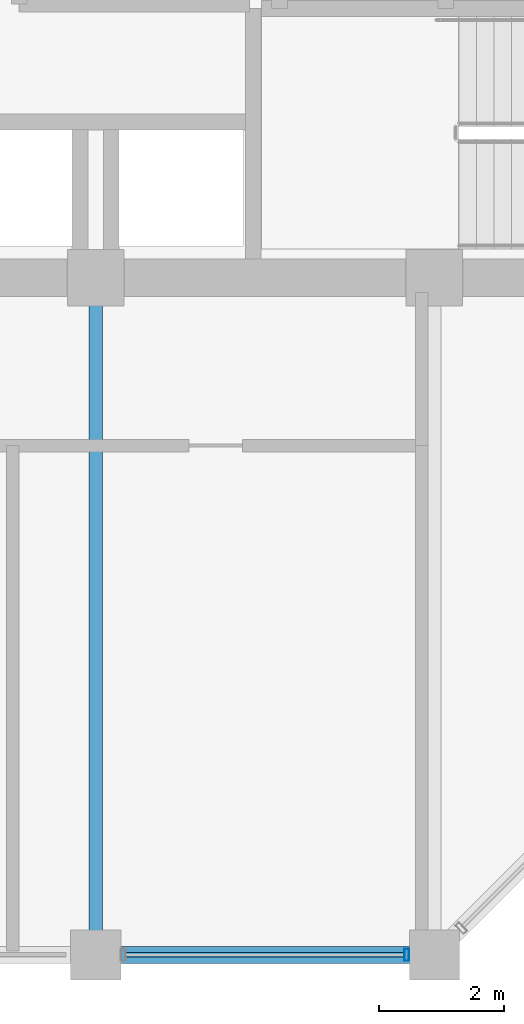
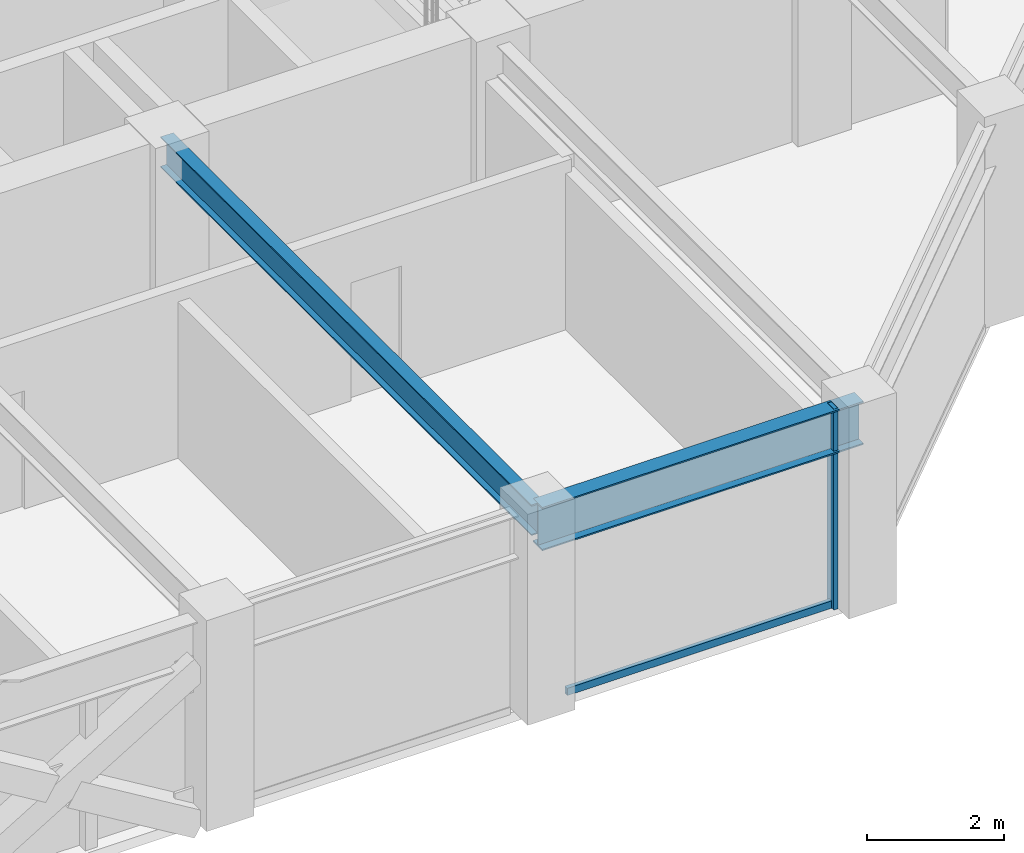
# One storey, part 7 of 32: 2 beams, 2 members, 1 element without a shape of its own.
"""IFC4 building model written with IfcOpenShell, lengths in metres."""

from ifc_helpers import new_model, si_unit, direction, frame, origin, origin_2d, place, context, subcontext, project, spatial, hollow_rectangle, i_section, extrude, material, layer, layer_set, material_profile, profile_set, type_object, element, aggregate, save


model = new_model("IFC4")

# Units and contexts
model_context = context("Model", 3, precision=1e-05, world=origin(), true_north=direction((0.0, 1.0)))
body_context = subcontext(model_context, "Body", "Model", "MODEL_VIEW")
ifc_project = project(units=[si_unit("LENGTHUNIT", "METRE"), si_unit("AREAUNIT", "SQUARE_METRE"), si_unit("VOLUMEUNIT", "CUBIC_METRE"), si_unit("PLANEANGLEUNIT", "RADIAN"), si_unit("MASSUNIT", "GRAM", prefix="KILO")], contexts=[model_context])

# Site, building, storey
site_placement = place(None, origin())
site = spatial("IfcSite", under=ifc_project, at=site_placement, CompositionType="ELEMENT")
building_placement = place(site_placement, origin())
building = spatial("IfcBuilding", under=site, at=building_placement, Name="Surkhivell Harbour Commons", CompositionType="ELEMENT")
storey_placement = place(building_placement, frame((0.0, 0.0, 219.75)))
storey = spatial("IfcBuildingStorey", under=building, at=storey_placement, Name="L57", CompositionType="ELEMENT", Elevation=219.75)

# Beams
ifc_material_1 = material(Name="Steel S355", Category="steel")
ifc_material_profile_1 = material_profile(ifc_material_1, i_section(OverallWidth=0.2119140625, OverallDepth=0.5439453125, WebThickness=0.0126953125, FlangeThickness=0.021240234375, at=origin_2d()), Name="UB533x210x122")
ifc_profile_set_1 = profile_set([ifc_material_profile_1], Name="Steel S355")
beam_type_1 = type_object("IfcBeamType", Name="BM-GRD-533A", PredefinedType="BEAM", material=ifc_profile_set_1)
beam_1_placement = place(storey_placement, frame((0.0, -21.60009765625, 3.298095703125), z_axis=(0.0, 1.0, 0.0), x_axis=(-1.0, 0.0, 0.0)))
element("IfcBeam", 1, at=beam_1_placement, inside=storey, type_object=beam_type_1, Name="L57 Floor Girder (0.0,-21.6)", PredefinedType="BEAM", context=body_context, shape_type="SweptSolid", body=[
    extrude(i_section(OverallWidth=0.2119140625, OverallDepth=0.5439453125, WebThickness=0.0126953125, FlangeThickness=0.021240234375, at=origin_2d()), origin(), (0.0, 0.0, 1.0), 10.800048828125),
])
ifc_material_profile_2 = material_profile(ifc_material_1, i_section(OverallWidth=0.26806640625, OverallDepth=0.77001953125, WebThickness=0.015625, FlangeThickness=0.025390625, at=origin_2d()), Name="UB762x267x197")
ifc_profile_set_2 = profile_set([ifc_material_profile_2], Name="Steel S355")
beam_type_2 = type_object("IfcBeamType", Name="BM-SPN-762", PredefinedType="SPANDREL", material=ifc_profile_set_2)
beam_2_placement = place(storey_placement, frame((0.0, -21.60009765625, 3.18505859375), z_axis=(1.0, 0.0, 0.0), x_axis=(0.0, 1.0, 0.0)))
element("IfcBeam", 2, at=beam_2_placement, inside=storey, type_object=beam_type_2, Name="L57 Tube Spandrel (-0.0,-21.6)", PredefinedType="SPANDREL", context=body_context, shape_type="SweptSolid", body=[
    extrude(i_section(OverallWidth=0.26806640625, OverallDepth=0.77001953125, WebThickness=0.015625, FlangeThickness=0.025390625, at=origin_2d()), origin(), (0.0, 0.0, 1.0), 5.39990234375),
])

# Curtain wall, members
ifc_material_2 = material(Name="Anodised pale-metal aluminium and insulated glazing", Category="aluminium")
ifc_layer = layer(ifc_material_2, 0.18994140625)
ifc_layer_set = layer_set([ifc_layer], Name="Anodised pale-metal aluminium and insulated glazing")
curtain_wall_type = type_object("IfcCurtainWallType", Name="CW-SYS-Z3", PredefinedType="NOTDEFINED", material=ifc_layer_set)
curtain_wall_placement = place(storey_placement, origin())
curtain_wall = element("IfcCurtainWall", 3, at=curtain_wall_placement, inside=storey, type_object=curtain_wall_type, Name="L57 Curtain Wall CW-L57-E00S2", PredefinedType="NOTDEFINED")
ifc_material_3 = material(Name="Anodised pale-metal aluminium alloy 6063-T6", Category="aluminium")
ifc_material_profile_3 = material_profile(ifc_material_3, hollow_rectangle(XDim=0.074951171875, YDim=0.18994140625, WallThickness=0.00390625, at=origin_2d()), Name="ALU-MULL-75x190")
ifc_profile_set_3 = profile_set([ifc_material_profile_3], Name="Anodised pale-metal aluminium alloy 6063-T6")
member_type_1 = type_object("IfcMemberType", Name="CWM-190", PredefinedType="MULLION", material=ifc_profile_set_3)
member_1_placement = place(storey_placement, frame((4.96044921875, -21.60009765625, 0.0), z_axis=(0.0, 0.0, 1.0), x_axis=(1.0, 0.0, 0.0)))
member_1 = element("IfcMember", 4, at=member_1_placement, type_object=member_type_1, Name="CW-Z3 mullion 3", PredefinedType="MULLION", context=body_context, shape_type="SweptSolid", body=[
    extrude(hollow_rectangle(XDim=0.074951171875, YDim=0.18994140625, WallThickness=0.00390625, at=origin_2d()), origin(), (0.0, 0.0, 1.0), 3.570068359375),
])
ifc_material_4 = material(Name="Champagne anodised aluminium alloy 6063-T6", Category="aluminium")
ifc_material_profile_4 = material_profile(ifc_material_4, hollow_rectangle(XDim=0.070068359375, YDim=0.1298828125, WallThickness=0.00341796875, at=origin_2d()), Name="ALU-TRAN-70x130")
ifc_profile_set_4 = profile_set([ifc_material_profile_4], Name="Champagne anodised aluminium alloy 6063-T6")
member_type_2 = type_object("IfcMemberType", Name="CWT-130", PredefinedType="USERDEFINED", material=ifc_profile_set_4)
member_2_placement = place(storey_placement, frame((0.47705078125, -21.60009765625, 0.06494140625), z_axis=(1.0, 0.0, 0.0), x_axis=(0.0, 1.0, 0.0)))
member_2 = element("IfcMember", 5, at=member_2_placement, type_object=member_type_2, Name="CW-Z3 transom 2.1", ObjectType="TRANSOM", PredefinedType="USERDEFINED", context=body_context, shape_type="SweptSolid", body=[
    extrude(hollow_rectangle(XDim=0.070068359375, YDim=0.1298828125, WallThickness=0.00341796875, at=origin_2d()), origin(), (0.0, 0.0, 1.0), 4.446044921875),
])
aggregate(curtain_wall, [member_1, member_2])

save(model, "model.ifc")
